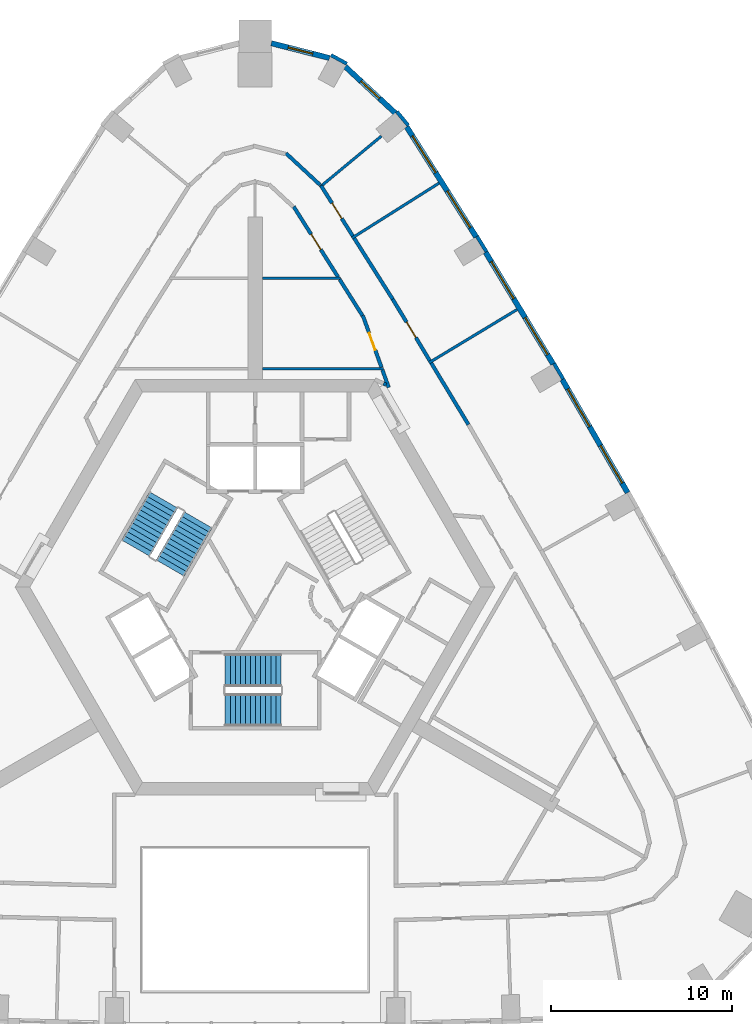
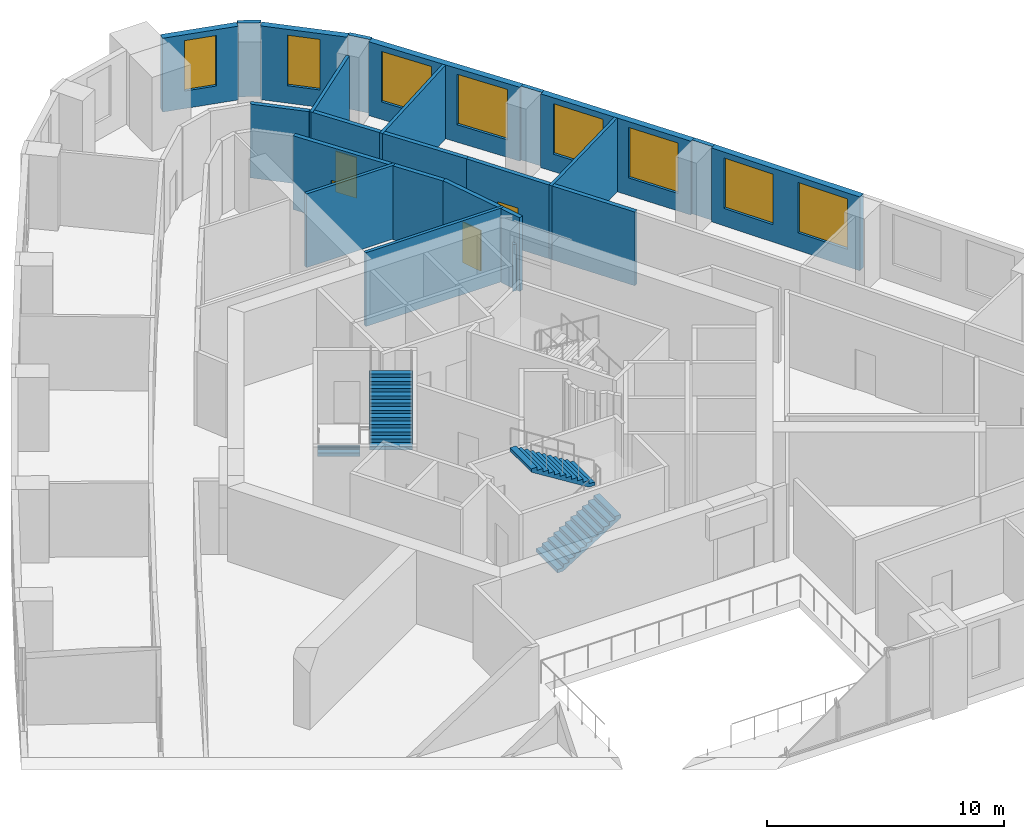
# One storey, part 9 of 11: 24 walls, 8 windows, 4 doors, 4 stair flights, 12 openings, 2 elements without a shape of their own.
"""IFC4 building model written with IfcOpenShell, lengths in metres."""

from ifc_helpers import new_model, si_unit, direction, frame, frame_2d, origin, place, context, subcontext, project, spatial, polyline, rectangle, outline, extrude, material, layer, layer_set, type_object, element, fill, aggregate, save


model = new_model("IFC4")

# Units and contexts
model_context = context("Model", 3, precision=1e-05, world=origin(), true_north=direction((0.0, 1.0)))
body_context = subcontext(model_context, "Body", "Model", "MODEL_VIEW")
ifc_project = project(units=[si_unit("LENGTHUNIT", "METRE"), si_unit("AREAUNIT", "SQUARE_METRE"), si_unit("VOLUMEUNIT", "CUBIC_METRE"), si_unit("PLANEANGLEUNIT", "RADIAN"), si_unit("MASSUNIT", "GRAM", prefix="KILO")], contexts=[model_context])

# Site, building, storey
site_placement = place(None, origin())
site = spatial("IfcSite", under=ifc_project, at=site_placement, CompositionType="ELEMENT")
building_placement = place(site_placement, origin())
building = spatial("IfcBuilding", under=site, at=building_placement, Name="Entoto Arch Interchange Tower", CompositionType="ELEMENT")
storey_placement = place(building_placement, frame((0.0, 0.0, 194.0)))
storey = spatial("IfcBuildingStorey", under=building, at=storey_placement, Name="L43", CompositionType="ELEMENT", Elevation=194.0)

# Walls
ifc_material_1 = material(Name="Gypsum board partition on steel studs", Category="steel")
ifc_layer_1 = layer(ifc_material_1, 0.14990234375)
ifc_layer_set_1 = layer_set([ifc_layer_1], Name="Gypsum board partition on steel studs")
wall_type_1 = type_object("IfcWallType", Name="PARTITION 150", PredefinedType="PARTITIONING", material=ifc_layer_set_1)
wall_1_placement = place(storey_placement, frame((7.1240234375, 14.60009765625, 0.0), z_axis=(0.0, 0.0, 1.0), x_axis=(-1.0, 0.0, 0.0)))
element("IfcWall", 1, at=wall_1_placement, inside=storey, type_object=wall_type_1, Name="wall:L43:p077", PredefinedType="PARTITIONING", context=body_context, shape_type="SweptSolid", body=[
    extrude(rectangle(XDim=6.72412109375, YDim=0.14990234375, at=frame_2d((3.362060546875, 0.0))), origin(), (0.0, 0.0, 1.0), 3.800048828125),
])
wall_2_placement = place(storey_placement, frame((0.39990234375, 19.60009765625, 0.0), z_axis=(0.0, 0.0, 1.0), x_axis=(1.0, 0.0, 0.0)))
element("IfcWall", 2, at=wall_2_placement, inside=storey, type_object=wall_type_1, Name="wall:L43:p100", PredefinedType="PARTITIONING", context=body_context, shape_type="SweptSolid", body=[
    extrude(rectangle(XDim=4.342041015625, YDim=0.14990234375, at=frame_2d((2.1708984375, 0.0))), origin(), (0.0, 0.0, 1.0), 3.800048828125),
])
wall_3_placement = place(storey_placement, frame((9.6279296875, 14.924072265625, 0.0), z_axis=(0.0, 0.0, 1.0), x_axis=(0.855931736607, 0.517088834021, 0.0)))
element("IfcWall", 3, at=wall_3_placement, inside=storey, type_object=wall_type_1, Name="wall:L43:p113", PredefinedType="PARTITIONING", context=body_context, shape_type="SweptSolid", body=[
    extrude(rectangle(XDim=5.69921875, YDim=0.14990234375, at=frame_2d((2.849609375, 0.0))), origin(), (0.0, 0.0, 1.0), 3.800048828125),
])
wall_4_placement = place(storey_placement, frame((5.364013671875, 21.826904296875, 0.0), z_axis=(0.0, 0.0, 1.0), x_axis=(0.845716787596, 0.533632003517, 0.0)))
element("IfcWall", 4, at=wall_4_placement, inside=storey, type_object=wall_type_1, Name="wall:L43:p114", PredefinedType="PARTITIONING", context=body_context, shape_type="SweptSolid", body=[
    extrude(rectangle(XDim=5.700439453125, YDim=0.14990234375, at=frame_2d((2.85009765625, 0.0))), origin(), (0.0, 0.0, 1.0), 3.800048828125),
])
wall_5_placement = place(storey_placement, frame((3.5859375, 24.64599609375, 0.0), z_axis=(0.0, 0.0, 1.0), x_axis=(0.769538645463, 0.638600245176, 0.0)))
element("IfcWall", 5, at=wall_5_placement, inside=storey, type_object=wall_type_1, Name="wall:L43:p115", PredefinedType="PARTITIONING", context=body_context, shape_type="SweptSolid", body=[
    extrude(rectangle(XDim=4.43017578125, YDim=0.14990234375, at=frame_2d((2.215087890625, 0.0))), origin(), (0.0, 0.0, 1.0), 3.800048828125),
])
ifc_layer_2 = layer(ifc_material_1, 0.199951171875)
ifc_layer_set_2 = layer_set([ifc_layer_2], Name="Gypsum board partition on steel studs")
wall_type_2 = type_object("IfcWallType", Name="PARTITION 200", PredefinedType="PARTITIONING", material=ifc_layer_set_2)
wall_6_placement = place(storey_placement, frame((7.40087890625, 13.552001953125, 0.0), z_axis=(0.0, 0.0, 1.0), x_axis=(-0.337944878606, 0.941165904091, 0.0)))
element("IfcWall", 6, at=wall_6_placement, inside=storey, type_object=wall_type_2, Name="wall:L43:p002", PredefinedType="PARTITIONING", context=body_context, shape_type="SweptSolid", body=[
    extrude(rectangle(XDim=1.0380859375, YDim=0.199951171875, at=frame_2d((0.51904296875, 0.0))), origin(), (0.0, 0.0, 1.0), 3.800048828125),
])

# Wall, opening, door
wall_7_placement = place(storey_placement, frame((6.9990234375, 14.6708984375, 0.0), z_axis=(0.0, 0.0, 1.0), x_axis=(-0.338795881304, 0.940859899672, 0.0)))
wall_7 = element("IfcWall", 7, at=wall_7_placement, inside=storey, type_object=wall_type_2, Name="wall:L43:p007", PredefinedType="PARTITIONING", context=body_context, shape_type="SweptSolid", body=[
    extrude(rectangle(XDim=3.0546875, YDim=0.199951171875, at=frame_2d((1.52734375, 0.0))), origin(), (0.0, 0.0, 1.0), 3.800048828125),
])
opening_1_placement = place(wall_7_placement, frame((1.027099609375, 0.0, 0.0)))
opening_1 = element("IfcOpeningElement", 8, at=opening_1_placement, cuts=wall_7, Name="Opening L43-D21", PredefinedType="OPENING", context=body_context, shape_type="SweptSolid", body=[
    extrude(rectangle(XDim=1.0, YDim=2.10009765625, at=frame_2d((0.5, 1.050048828125))), frame((0.0, 0.10986328125, 0.0), z_axis=(0.0, -1.0, 0.0), x_axis=(1.0, 0.0, 0.0)), (0.0, 0.0, 1.0), 0.219970703125),
])
ifc_material_2 = material(Name="Timber door leaf in Steel S235 frame", Category="steel")
door_type = type_object("IfcDoorType", Name="DOOR DS-10 1000x2100", OperationType="SINGLE_SWING_LEFT", PredefinedType="DOOR", material=ifc_material_2)
door_1_placement = place(opening_1_placement, origin())
door_1 = element("IfcDoor", 9, at=door_1_placement, inside=storey, type_object=door_type, Name="door:L43:21", OperationType="SINGLE_SWING_LEFT", OverallHeight=2.10009765625, OverallWidth=1.0, PredefinedType="DOOR", context=body_context, shape_type="SweptSolid", body=[
    extrude(rectangle(XDim=1.0, YDim=2.10009765625, at=frame_2d((0.5, 1.050048828125))), frame((0.0, 0.02490234375, 0.0), z_axis=(0.0, -1.0, 0.0), x_axis=(1.0, 0.0, 0.0)), (0.0, 0.0, 1.0), 0.050048828125),
])
fill(opening_1, door_1)

# Wall
wall_8_placement = place(storey_placement, frame((5.945068359375, 17.534912109375, 0.0), z_axis=(0.0, 0.0, 1.0), x_axis=(-0.533581643518, 0.845748561749, 0.0)))
element("IfcWall", 10, at=wall_8_placement, inside=storey, type_object=wall_type_2, Name="wall:L43:p008", PredefinedType="PARTITIONING", context=body_context, shape_type="SweptSolid", body=[
    extrude(rectangle(XDim=2.367431640625, YDim=0.199951171875, at=frame_2d((1.18359375, 0.0))), origin(), (0.0, 0.0, 1.0), 3.800048828125),
])

# Wall, opening, door
wall_9_placement = place(storey_placement, frame((4.60205078125, 19.6630859375, 0.0), z_axis=(0.0, 0.0, 1.0), x_axis=(-0.533664968846, 0.845695986171, 0.0)))
wall_9 = element("IfcWall", 11, at=wall_9_placement, inside=storey, type_object=wall_type_2, Name="wall:L43:p011", PredefinedType="PARTITIONING", context=body_context, shape_type="SweptSolid", body=[
    extrude(rectangle(XDim=4.62109375, YDim=0.199951171875, at=frame_2d((2.310546875, 0.0))), origin(), (0.0, 0.0, 1.0), 3.800048828125),
])
opening_2_placement = place(wall_9_placement, frame((1.81005859375, 0.0, 0.0)))
opening_2 = element("IfcOpeningElement", 12, at=opening_2_placement, cuts=wall_9, Name="Opening L43-D23", PredefinedType="OPENING", context=body_context, shape_type="SweptSolid", body=[
    extrude(rectangle(XDim=1.0, YDim=2.10009765625, at=frame_2d((0.5, 1.050048828125))), frame((0.0, 0.10986328125, 0.0), z_axis=(0.0, -1.0, 0.0), x_axis=(1.0, 0.0, 0.0)), (0.0, 0.0, 1.0), 0.219970703125),
])
door_2_placement = place(opening_2_placement, origin())
door_2 = element("IfcDoor", 13, at=door_2_placement, inside=storey, type_object=door_type, Name="door:L43:23", OperationType="SINGLE_SWING_LEFT", OverallHeight=2.10009765625, OverallWidth=1.0, PredefinedType="DOOR", context=body_context, shape_type="SweptSolid", body=[
    extrude(rectangle(XDim=1.0, YDim=2.10009765625, at=frame_2d((0.5, 1.050048828125))), frame((0.0, 0.02490234375, 0.0), z_axis=(0.0, -1.0, 0.0), x_axis=(1.0, 0.0, 0.0)), (0.0, 0.0, 1.0), 0.050048828125),
])
fill(opening_2, door_2)

# Walls
wall_10_placement = place(storey_placement, frame((9.751953125, 14.910888671875, 0.0), z_axis=(0.0, 0.0, 1.0), x_axis=(0.517135291957, -0.855903668535, 0.0)))
element("IfcWall", 14, at=wall_10_placement, inside=storey, type_object=wall_type_2, Name="wall:L43:p043", PredefinedType="PARTITIONING", context=body_context, shape_type="SweptSolid", body=[
    extrude(rectangle(XDim=3.981689453125, YDim=0.199951171875, at=frame_2d((1.99072265625, 0.0))), origin(), (0.0, 0.0, 1.0), 3.800048828125),
])
wall_11_placement = place(storey_placement, frame((5.489013671875, 21.81689453125, 0.0), z_axis=(0.0, 0.0, 1.0), x_axis=(0.533790022325, -0.845617059943, 0.0)))
element("IfcWall", 15, at=wall_11_placement, inside=storey, type_object=wall_type_2, Name="wall:L43:p045", PredefinedType="PARTITIONING", context=body_context, shape_type="SweptSolid", body=[
    extrude(rectangle(XDim=3.98291015625, YDim=0.199951171875, at=frame_2d((1.991455078125, 0.0))), origin(), (0.0, 0.0, 1.0), 3.800048828125),
])

# Wall, opening, door
wall_12_placement = place(storey_placement, frame((7.614990234375, 18.448974609375, 0.0), z_axis=(0.0, 0.0, 1.0), x_axis=(0.516918251554, -0.856034766356, 0.0)))
wall_12 = element("IfcWall", 16, at=wall_12_placement, inside=storey, type_object=wall_type_2, Name="wall:L43:p046", PredefinedType="PARTITIONING", context=body_context, shape_type="SweptSolid", body=[
    extrude(rectangle(XDim=3.9833984375, YDim=0.199951171875, at=frame_2d((1.99169921875, 0.0))), origin(), (0.0, 0.0, 1.0), 3.800048828125),
])
opening_3_placement = place(wall_12_placement, frame((1.491943359375, 0.0, 0.0)))
opening_3 = element("IfcOpeningElement", 17, at=opening_3_placement, cuts=wall_12, Name="Opening L43-D07", PredefinedType="OPENING", context=body_context, shape_type="SweptSolid", body=[
    extrude(rectangle(XDim=1.0, YDim=2.10009765625, at=frame_2d((0.5, 1.050048828125))), frame((0.0, 0.10986328125, 0.0), z_axis=(0.0, -1.0, 0.0), x_axis=(1.0, 0.0, 0.0)), (0.0, 0.0, 1.0), 0.219970703125),
])
door_3_placement = place(opening_3_placement, origin())
door_3 = element("IfcDoor", 18, at=door_3_placement, inside=storey, type_object=door_type, Name="door:L43:07", OperationType="SINGLE_SWING_LEFT", OverallHeight=2.10009765625, OverallWidth=1.0, PredefinedType="DOOR", context=body_context, shape_type="SweptSolid", body=[
    extrude(rectangle(XDim=1.0, YDim=2.10009765625, at=frame_2d((0.5, 1.050048828125))), frame((0.0, 0.02490234375, 0.0), z_axis=(0.0, -1.0, 0.0), x_axis=(1.0, 0.0, 0.0)), (0.0, 0.0, 1.0), 0.050048828125),
])
fill(opening_3, door_3)

wall_13_placement = place(storey_placement, frame((3.64990234375, 24.73095703125, 0.0), z_axis=(0.0, 0.0, 1.0), x_axis=(0.533756056831, -0.845638499476, 0.0)))
wall_13 = element("IfcWall", 19, at=wall_13_placement, inside=storey, type_object=wall_type_2, Name="wall:L43:p047", PredefinedType="PARTITIONING", context=body_context, shape_type="SweptSolid", body=[
    extrude(rectangle(XDim=3.295654296875, YDim=0.199951171875, at=frame_2d((1.64794921875, 0.0))), origin(), (0.0, 0.0, 1.0), 3.800048828125),
])
opening_4_placement = place(wall_13_placement, frame((1.14794921875, 0.0, 0.0)))
opening_4 = element("IfcOpeningElement", 20, at=opening_4_placement, cuts=wall_13, Name="Opening L43-D08", PredefinedType="OPENING", context=body_context, shape_type="SweptSolid", body=[
    extrude(rectangle(XDim=1.0, YDim=2.10009765625, at=frame_2d((0.5, 1.050048828125))), frame((0.0, 0.10986328125, 0.0), z_axis=(0.0, -1.0, 0.0), x_axis=(1.0, 0.0, 0.0)), (0.0, 0.0, 1.0), 0.219970703125),
])
door_4_placement = place(opening_4_placement, origin())
door_4 = element("IfcDoor", 21, at=door_4_placement, inside=storey, type_object=door_type, Name="door:L43:08", OperationType="SINGLE_SWING_LEFT", OverallHeight=2.10009765625, OverallWidth=1.0, PredefinedType="DOOR", context=body_context, shape_type="SweptSolid", body=[
    extrude(rectangle(XDim=1.0, YDim=2.10009765625, at=frame_2d((0.5, 1.050048828125))), frame((0.0, 0.02490234375, 0.0), z_axis=(0.0, -1.0, 0.0), x_axis=(1.0, 0.0, 0.0)), (0.0, 0.0, 1.0), 0.050048828125),
])
fill(opening_4, door_4)

# Walls
wall_14_placement = place(storey_placement, frame((1.70703125, 26.52587890625, 0.0), z_axis=(0.0, 0.0, 1.0), x_axis=(0.732939008525, -0.680294355248, 0.0)))
element("IfcWall", 22, at=wall_14_placement, inside=storey, type_object=wall_type_2, Name="wall:L43:p051", PredefinedType="PARTITIONING", context=body_context, shape_type="SweptSolid", body=[
    extrude(rectangle(XDim=2.569091796875, YDim=0.199951171875, at=frame_2d((1.28466796875, 0.0))), origin(), (0.0, 0.0, 1.0), 3.800048828125),
])
wall_15_placement = place(storey_placement, frame((7.110107421875, 13.77099609375, 0.0), z_axis=(0.0, 0.0, 1.0), x_axis=(0.900120852209, -0.435640277545, 0.0)))
element("IfcWall", 23, at=wall_15_placement, inside=storey, type_object=wall_type_2, Name="wall:L43:p001", PredefinedType="PARTITIONING", context=body_context, shape_type="SweptSolid", body=[
    extrude(rectangle(XDim=0.160888671875, YDim=0.199951171875, at=frame_2d((0.08056640625, 0.0))), origin(), (0.0, 0.0, 1.0), 2.39990234375),
])

# Wall, openings, windows
ifc_material_3 = material(Name="Welded tuff (ignimbrite) cladding, warm buff", Category="masonry")
ifc_layer_3 = layer(ifc_material_3, 0.300048828125)
ifc_layer_set_3 = layer_set([ifc_layer_3], Name="Welded tuff (ignimbrite) cladding, warm buff")
wall_type_3 = type_object("IfcWallType", Name="STONE INFILL WALL 300", PredefinedType="STANDARD", material=ifc_layer_set_3)
wall_16_placement = place(storey_placement, frame((20.6259765625, 7.73388671875, 0.0), z_axis=(0.0, 0.0, 1.0), x_axis=(-0.499948481376, 0.866055146033, 0.0)))
wall_16 = element("IfcWall", 24, at=wall_16_placement, inside=storey, type_object=wall_type_3, Name="Facade wall NE-03 L43", PredefinedType="STANDARD", context=body_context, shape_type="SweptSolid", body=[
    extrude(rectangle(XDim=7.230712890625, YDim=0.300048828125, at=frame_2d((3.615234375, 0.0))), origin(), (0.0, 0.0, 1.0), 3.800048828125),
])
opening_5_placement = place(wall_16_placement, frame((0.60791015625, 0.0, 0.89990234375)))
opening_5 = element("IfcOpeningElement", 25, at=opening_5_placement, cuts=wall_16, Name="Opening WO-A", PredefinedType="OPENING", context=body_context, shape_type="SweptSolid", body=[
    extrude(rectangle(XDim=2.39990234375, YDim=2.60009765625, at=frame_2d((1.199951171875, 1.300048828125))), frame((0.0, 0.16015625, 0.0), z_axis=(0.0, -1.0, 0.0), x_axis=(1.0, 0.0, 0.0)), (0.0, 0.0, 1.0), 0.320068359375),
])
opening_6_placement = place(wall_16_placement, frame((4.222900390625, 0.0, 0.89990234375)))
opening_6 = element("IfcOpeningElement", 26, at=opening_6_placement, cuts=wall_16, Name="Opening WO-A", PredefinedType="OPENING", context=body_context, shape_type="SweptSolid", body=[
    extrude(rectangle(XDim=2.39990234375, YDim=2.60009765625, at=frame_2d((1.199951171875, 1.300048828125))), frame((0.0, 0.16015625, 0.0), z_axis=(0.0, -1.0, 0.0), x_axis=(1.0, 0.0, 0.0)), (0.0, 0.0, 1.0), 0.320068359375),
])
ifc_material_4 = material(Name="Clear glass, low-e double glazed", Category="glass")
window_type_1 = type_object("IfcWindowType", Name="WINDOW WO-A 2400x2600", PartitioningType="DOUBLE_PANEL_VERTICAL", PredefinedType="WINDOW", material=ifc_material_4)
window_1_placement = place(opening_5_placement, origin())
window_1 = element("IfcWindow", 27, at=window_1_placement, inside=storey, type_object=window_type_1, Name="Window WO-A NE-03 L43", OverallHeight=2.60009765625, OverallWidth=2.39990234375, PartitioningType="SINGLE_PANEL", PredefinedType="WINDOW", context=body_context, shape_type="SweptSolid", body=[
    extrude(rectangle(XDim=2.39990234375, YDim=2.60009765625, at=frame_2d((1.199951171875, 1.300048828125))), frame((0.0, 0.030029296875, 0.0), z_axis=(0.0, -1.0, 0.0), x_axis=(1.0, 0.0, 0.0)), (0.0, 0.0, 1.0), 0.06005859375),
])
fill(opening_5, window_1)
window_2_placement = place(opening_6_placement, origin())
window_2 = element("IfcWindow", 28, at=window_2_placement, inside=storey, type_object=window_type_1, Name="Window WO-A NE-03 L43", OverallHeight=2.60009765625, OverallWidth=2.39990234375, PartitioningType="SINGLE_PANEL", PredefinedType="WINDOW", context=body_context, shape_type="SweptSolid", body=[
    extrude(rectangle(XDim=2.39990234375, YDim=2.60009765625, at=frame_2d((1.199951171875, 1.300048828125))), frame((0.0, 0.030029296875, 0.0), z_axis=(0.0, -1.0, 0.0), x_axis=(1.0, 0.0, 0.0)), (0.0, 0.0, 1.0), 0.06005859375),
])
fill(opening_6, window_2)

wall_17_placement = place(storey_placement, frame((16.50390625, 14.85498046875, 0.0), z_axis=(0.0, 0.0, 1.0), x_axis=(-0.517159962006, 0.855888762456, 0.0)))
wall_17 = element("IfcWall", 29, at=wall_17_placement, inside=storey, type_object=wall_type_3, Name="Facade wall NE-04 L43", PredefinedType="STANDARD", context=body_context, shape_type="SweptSolid", body=[
    extrude(rectangle(XDim=7.22998046875, YDim=0.300048828125, at=frame_2d((3.614990234375, 0.0))), origin(), (0.0, 0.0, 1.0), 3.800048828125),
])
opening_7_placement = place(wall_17_placement, frame((0.60693359375, 0.0, 0.89990234375)))
opening_7 = element("IfcOpeningElement", 30, at=opening_7_placement, cuts=wall_17, Name="Opening WO-A", PredefinedType="OPENING", context=body_context, shape_type="SweptSolid", body=[
    extrude(rectangle(XDim=2.39990234375, YDim=2.60009765625, at=frame_2d((1.199951171875, 1.300048828125))), frame((0.0, 0.16015625, 0.0), z_axis=(0.0, -1.0, 0.0), x_axis=(1.0, 0.0, 0.0)), (0.0, 0.0, 1.0), 0.320068359375),
])
opening_8_placement = place(wall_17_placement, frame((4.221923828125, 0.0, 0.89990234375)))
opening_8 = element("IfcOpeningElement", 31, at=opening_8_placement, cuts=wall_17, Name="Opening WO-A", PredefinedType="OPENING", context=body_context, shape_type="SweptSolid", body=[
    extrude(rectangle(XDim=2.39990234375, YDim=2.60009765625, at=frame_2d((1.199951171875, 1.300048828125))), frame((0.0, 0.16015625, 0.0), z_axis=(0.0, -1.0, 0.0), x_axis=(1.0, 0.0, 0.0)), (0.0, 0.0, 1.0), 0.320068359375),
])
window_3_placement = place(opening_7_placement, origin())
window_3 = element("IfcWindow", 32, at=window_3_placement, inside=storey, type_object=window_type_1, Name="Window WO-A NE-04 L43", OverallHeight=2.60009765625, OverallWidth=2.39990234375, PartitioningType="SINGLE_PANEL", PredefinedType="WINDOW", context=body_context, shape_type="SweptSolid", body=[
    extrude(rectangle(XDim=2.39990234375, YDim=2.60009765625, at=frame_2d((1.199951171875, 1.300048828125))), frame((0.0, 0.030029296875, 0.0), z_axis=(0.0, -1.0, 0.0), x_axis=(1.0, 0.0, 0.0)), (0.0, 0.0, 1.0), 0.06005859375),
])
fill(opening_7, window_3)
window_4_placement = place(opening_8_placement, origin())
window_4 = element("IfcWindow", 33, at=window_4_placement, inside=storey, type_object=window_type_1, Name="Window WO-A NE-04 L43", OverallHeight=2.60009765625, OverallWidth=2.39990234375, PartitioningType="SINGLE_PANEL", PredefinedType="WINDOW", context=body_context, shape_type="SweptSolid", body=[
    extrude(rectangle(XDim=2.39990234375, YDim=2.60009765625, at=frame_2d((1.199951171875, 1.300048828125))), frame((0.0, 0.030029296875, 0.0), z_axis=(0.0, -1.0, 0.0), x_axis=(1.0, 0.0, 0.0)), (0.0, 0.0, 1.0), 0.06005859375),
])
fill(opening_8, window_4)

wall_18_placement = place(storey_placement, frame((12.240966796875, 21.89208984375, 0.0), z_axis=(0.0, 0.0, 1.0), x_axis=(-0.533680752529, 0.845686025887, 0.0)))
wall_18 = element("IfcWall", 34, at=wall_18_placement, inside=storey, type_object=wall_type_3, Name="Facade wall NE-05 L43", PredefinedType="STANDARD", context=body_context, shape_type="SweptSolid", body=[
    extrude(rectangle(XDim=7.208251953125, YDim=0.300048828125, at=frame_2d((3.60400390625, 0.0))), origin(), (0.0, 0.0, 1.0), 3.800048828125),
])
opening_9_placement = place(wall_18_placement, frame((0.60205078125, 0.0, 0.89990234375)))
opening_9 = element("IfcOpeningElement", 35, at=opening_9_placement, cuts=wall_18, Name="Opening WO-A", PredefinedType="OPENING", context=body_context, shape_type="SweptSolid", body=[
    extrude(rectangle(XDim=2.39990234375, YDim=2.60009765625, at=frame_2d((1.199951171875, 1.300048828125))), frame((0.0, 0.16015625, 0.0), z_axis=(0.0, -1.0, 0.0), x_axis=(1.0, 0.0, 0.0)), (0.0, 0.0, 1.0), 0.320068359375),
])
opening_10_placement = place(wall_18_placement, frame((4.2060546875, 0.0, 0.89990234375)))
opening_10 = element("IfcOpeningElement", 36, at=opening_10_placement, cuts=wall_18, Name="Opening WO-A", PredefinedType="OPENING", context=body_context, shape_type="SweptSolid", body=[
    extrude(rectangle(XDim=2.39990234375, YDim=2.60009765625, at=frame_2d((1.199951171875, 1.300048828125))), frame((0.0, 0.16015625, 0.0), z_axis=(0.0, -1.0, 0.0), x_axis=(1.0, 0.0, 0.0)), (0.0, 0.0, 1.0), 0.320068359375),
])
window_5_placement = place(opening_9_placement, origin())
window_5 = element("IfcWindow", 37, at=window_5_placement, inside=storey, type_object=window_type_1, Name="Window WO-A NE-05 L43", OverallHeight=2.60009765625, OverallWidth=2.39990234375, PartitioningType="SINGLE_PANEL", PredefinedType="WINDOW", context=body_context, shape_type="SweptSolid", body=[
    extrude(rectangle(XDim=2.39990234375, YDim=2.60009765625, at=frame_2d((1.199951171875, 1.300048828125))), frame((0.0, 0.030029296875, 0.0), z_axis=(0.0, -1.0, 0.0), x_axis=(1.0, 0.0, 0.0)), (0.0, 0.0, 1.0), 0.06005859375),
])
fill(opening_9, window_5)
window_6_placement = place(opening_10_placement, origin())
window_6 = element("IfcWindow", 38, at=window_6_placement, inside=storey, type_object=window_type_1, Name="Window WO-A NE-05 L43", OverallHeight=2.60009765625, OverallWidth=2.39990234375, PartitioningType="SINGLE_PANEL", PredefinedType="WINDOW", context=body_context, shape_type="SweptSolid", body=[
    extrude(rectangle(XDim=2.39990234375, YDim=2.60009765625, at=frame_2d((1.199951171875, 1.300048828125))), frame((0.0, 0.030029296875, 0.0), z_axis=(0.0, -1.0, 0.0), x_axis=(1.0, 0.0, 0.0)), (0.0, 0.0, 1.0), 0.06005859375),
])
fill(opening_10, window_6)

# Wall, opening, window
wall_19_placement = place(storey_placement, frame((7.757080078125, 28.756103515625, 0.0), z_axis=(0.0, 0.0, 1.0), x_axis=(-0.732897351132, 0.680339233547, 0.0)))
wall_19 = element("IfcWall", 39, at=wall_19_placement, inside=storey, type_object=wall_type_3, Name="Facade wall N-01 L43", PredefinedType="STANDARD", context=body_context, shape_type="SweptSolid", body=[
    extrude(rectangle(XDim=3.767333984375, YDim=0.300048828125, at=frame_2d((1.8837890625, 0.0))), origin(), (0.0, 0.0, 1.0), 3.800048828125),
])
opening_11_placement = place(wall_19_placement, frame((1.18408203125, 0.0, 0.89990234375)))
opening_11 = element("IfcOpeningElement", 40, at=opening_11_placement, cuts=wall_19, Name="Opening WO-B", PredefinedType="OPENING", context=body_context, shape_type="SweptSolid", body=[
    extrude(rectangle(XDim=1.39990234375, YDim=2.60009765625, at=frame_2d((0.699951171875, 1.300048828125))), frame((0.0, 0.16015625, 0.0), z_axis=(0.0, -1.0, 0.0), x_axis=(1.0, 0.0, 0.0)), (0.0, 0.0, 1.0), 0.320068359375),
])
window_type_2 = type_object("IfcWindowType", Name="WINDOW WO-B 1400x2600", PartitioningType="DOUBLE_PANEL_VERTICAL", PredefinedType="WINDOW", material=ifc_material_4)
window_7_placement = place(opening_11_placement, origin())
window_7 = element("IfcWindow", 41, at=window_7_placement, inside=storey, type_object=window_type_2, Name="Window WO-B N-01 L43", OverallHeight=2.60009765625, OverallWidth=1.39990234375, PartitioningType="SINGLE_PANEL", PredefinedType="WINDOW", context=body_context, shape_type="SweptSolid", body=[
    extrude(rectangle(XDim=1.39990234375, YDim=2.60009765625, at=frame_2d((0.699951171875, 1.300048828125))), frame((0.0, 0.030029296875, 0.0), z_axis=(0.0, -1.0, 0.0), x_axis=(1.0, 0.0, 0.0)), (0.0, 0.0, 1.0), 0.06005859375),
])
fill(opening_11, window_7)

wall_20_placement = place(storey_placement, frame((4.1201171875, 31.7958984375, 0.0), z_axis=(0.0, 0.0, 1.0), x_axis=(-0.969087915137, 0.24671565158, 0.0)))
wall_20 = element("IfcWall", 42, at=wall_20_placement, inside=storey, type_object=wall_type_3, Name="Facade wall N-02 L43", PredefinedType="STANDARD", context=body_context, shape_type="SweptSolid", body=[
    extrude(rectangle(XDim=3.323974609375, YDim=0.300048828125, at=frame_2d((1.662109375, 0.0))), origin(), (0.0, 0.0, 1.0), 3.800048828125),
])
opening_12_placement = place(wall_20_placement, frame((0.9619140625, 0.0, 0.89990234375)))
opening_12 = element("IfcOpeningElement", 43, at=opening_12_placement, cuts=wall_20, Name="Opening WO-B", PredefinedType="OPENING", context=body_context, shape_type="SweptSolid", body=[
    extrude(rectangle(XDim=1.39990234375, YDim=2.60009765625, at=frame_2d((0.699951171875, 1.300048828125))), frame((0.0, 0.16015625, 0.0), z_axis=(0.0, -1.0, 0.0), x_axis=(1.0, 0.0, 0.0)), (0.0, 0.0, 1.0), 0.320068359375),
])
window_8_placement = place(opening_12_placement, origin())
window_8 = element("IfcWindow", 44, at=window_8_placement, inside=storey, type_object=window_type_2, Name="Window WO-B N-02 L43", OverallHeight=2.60009765625, OverallWidth=1.39990234375, PartitioningType="SINGLE_PANEL", PredefinedType="WINDOW", context=body_context, shape_type="SweptSolid", body=[
    extrude(rectangle(XDim=1.39990234375, YDim=2.60009765625, at=frame_2d((0.699951171875, 1.300048828125))), frame((0.0, 0.030029296875, 0.0), z_axis=(0.0, -1.0, 0.0), x_axis=(1.0, 0.0, 0.0)), (0.0, 0.0, 1.0), 0.06005859375),
])
fill(opening_12, window_8)

# Walls
ifc_layer_4 = layer(ifc_material_3, 0.199951171875)
ifc_layer_set_4 = layer_set([ifc_layer_4], Name="Welded tuff (ignimbrite) cladding, warm buff")
wall_type_4 = type_object("IfcWallType", Name="STONE PIER CLADDING 200", PredefinedType="STANDARD", material=ifc_layer_set_4)
for number, where, z_axis, x_axis, name in (
    (45, (5.083984375, 31.47802734375, 0.0), (0.0, 0.0, 1.0), (-0.878250009632, 0.478201757191, 0.0), "Stone pier N1 L43"),
    (46, (17.05908203125, 14.02294921875, 0.0), (0.0, 0.0, 1.0), (-0.508161541526, 0.861261776531, 0.0), "Stone pier NE04 L43"),
):
    element("IfcWall", number, at=place(storey_placement, frame(where, z_axis=z_axis, x_axis=x_axis)), inside=storey, type_object=wall_type_4, Name=name, PredefinedType="STANDARD", context=body_context, shape_type="SweptSolid", body=[
        extrude(rectangle(XDim=0.999755859375, YDim=0.199951171875, at=frame_2d((0.5, 0.0))), origin(), (0.0, 0.0, 1.0), 3.800048828125),
    ])
wall_21_placement = place(storey_placement, frame((12.81298828125, 21.071044921875, 0.0), z_axis=(0.0, 0.0, 1.0), x_axis=(-0.525648735675, 0.850701714282, 0.0)))
element("IfcWall", 47, at=wall_21_placement, inside=storey, type_object=wall_type_4, Name="Stone pier NE05 L43", PredefinedType="STANDARD", context=body_context, shape_type="SweptSolid", body=[
    extrude(rectangle(XDim=1.00048828125, YDim=0.199951171875, at=frame_2d((0.500244140625, 0.0))), origin(), (0.0, 0.0, 1.0), 3.800048828125),
])
wall_22_placement = place(storey_placement, frame((8.48388671875, 28.06103515625, 0.0), z_axis=(0.0, 0.0, 1.0), x_axis=(-0.637972365578, 0.770059257953, 0.0)))
element("IfcWall", 48, at=wall_22_placement, inside=storey, type_object=wall_type_4, Name="Stone pier NE06 L43", PredefinedType="STANDARD", context=body_context, shape_type="SweptSolid", body=[
    extrude(rectangle(XDim=1.0, YDim=0.199951171875, at=frame_2d((0.5, 0.0))), origin(), (0.0, 0.0, 1.0), 3.800048828125),
])

# Stair, stair flights
ifc_material_5 = material(Name="Concrete C40/50", Category="concrete")
stair_type = type_object("IfcStairType", Name="EXIT STAIR RC 1800", PredefinedType="HALF_TURN_STAIR", material=ifc_material_5)
stair_1_placement = place(storey_placement, origin())
stair_1 = element("IfcStair", 49, at=stair_1_placement, inside=storey, type_object=stair_type, Name="L43 Exit stair S", PredefinedType="HALF_TURN_STAIR")
stair_flight_type = type_object("IfcStairFlightType", Name="EXIT STAIR FLIGHT RC 1800", PredefinedType="STRAIGHT", material=ifc_material_5)
stair_flight_1_placement = place(storey_placement, frame((-1.64990234375, -4.300048828125, 0.0), z_axis=(0.0, 0.0, 1.0), x_axis=(1.0, 0.0, 0.0)))
stair_flight_1 = element("IfcStairFlight", 50, at=stair_flight_1_placement, type_object=stair_flight_type, Name="ST-S flight 1", NumberOfRisers=12, NumberOfTreads=11, PredefinedType="STRAIGHT", RiserHeight=0.175, TreadLength=0.28, context=body_context, shape_type="SweptSolid", body=[
    extrude(outline(polyline([(-0.0029296875, 0.0), (-0.0029296875, 0.175048828125), (0.280029296875, 0.175048828125), (0.280029296875, 0.35009765625), (0.56005859375, 0.35009765625), (0.56005859375, 0.52490234375), (0.840087890625, 0.52490234375), (0.840087890625, 0.699951171875), (1.1201171875, 0.699951171875), (1.1201171875, 0.875), (1.39990234375, 0.875), (1.39990234375, 1.050048828125), (1.679931640625, 1.050048828125), (1.679931640625, 1.22509765625), (1.9599609375, 1.22509765625), (1.9599609375, 1.39990234375), (2.239990234375, 1.39990234375), (2.239990234375, 1.574951171875), (2.52001953125, 1.574951171875), (2.52001953125, 1.75), (2.800048828125, 1.75), (2.800048828125, 1.925048828125), (3.080078125, 1.925048828125), (3.0830078125, 1.925048828125), (3.0830078125, 1.75), (0.28271484375, 0.0), (-0.0029296875, 0.0)])), frame((0.0, 0.89990234375, 0.0), z_axis=(0.0, -1.0, 0.0), x_axis=(1.0, 0.0, 0.0)), (0.0, 0.0, 1.0), 1.800048828125),
])
stair_flight_2_placement = place(storey_placement, frame((1.429931640625, -2.10009765625, 2.10009765625), z_axis=(0.0, 0.0, 1.0), x_axis=(-1.0, 0.0, 0.0)))
stair_flight_2 = element("IfcStairFlight", 51, at=stair_flight_2_placement, type_object=stair_flight_type, Name="ST-S flight 2", NumberOfRisers=12, NumberOfTreads=11, PredefinedType="STRAIGHT", RiserHeight=0.175, TreadLength=0.28, context=body_context, shape_type="SweptSolid", body=[
    extrude(outline(polyline([(-0.0029296875, 0.0), (-0.0029296875, 0.175048828125), (0.280029296875, 0.175048828125), (0.280029296875, 0.35009765625), (0.56005859375, 0.35009765625), (0.56005859375, 0.52490234375), (0.840087890625, 0.52490234375), (0.840087890625, 0.699951171875), (1.1201171875, 0.699951171875), (1.1201171875, 0.875), (1.39990234375, 0.875), (1.39990234375, 1.050048828125), (1.679931640625, 1.050048828125), (1.679931640625, 1.22509765625), (1.9599609375, 1.22509765625), (1.9599609375, 1.39990234375), (2.239990234375, 1.39990234375), (2.239990234375, 1.574951171875), (2.52001953125, 1.574951171875), (2.52001953125, 1.75), (2.800048828125, 1.75), (2.800048828125, 1.925048828125), (3.080078125, 1.925048828125), (3.0830078125, 1.925048828125), (3.0830078125, 1.75), (0.28271484375, 0.0), (-0.0029296875, 0.0)])), frame((0.0, 0.89990234375, 0.0), z_axis=(0.0, -1.0, 0.0), x_axis=(1.0, 0.0, 0.0)), (0.0, 0.0, 1.0), 1.800048828125),
])
aggregate(stair_1, [stair_flight_1, stair_flight_2])

stair_2_placement = place(storey_placement, origin())
stair_2 = element("IfcStair", 52, at=stair_2_placement, inside=storey, type_object=stair_type, Name="L43 Exit stair NW", PredefinedType="HALF_TURN_STAIR")
stair_flight_3_placement = place(storey_placement, frame((-5.06396484375, 7.328857421875, 0.0), z_axis=(0.0, 0.0, 1.0), x_axis=(-0.5, -0.866025403784, 0.0)))
stair_flight_3 = element("IfcStairFlight", 53, at=stair_flight_3_placement, type_object=stair_flight_type, Name="ST-NW flight 1", NumberOfRisers=12, NumberOfTreads=11, PredefinedType="STRAIGHT", RiserHeight=0.175, TreadLength=0.28, context=body_context, shape_type="SweptSolid", body=[
    extrude(outline(polyline([(-0.0029296875, 0.0), (-0.0029296875, 0.175048828125), (0.280029296875, 0.175048828125), (0.280029296875, 0.35009765625), (0.56005859375, 0.35009765625), (0.56005859375, 0.52490234375), (0.840087890625, 0.52490234375), (0.840087890625, 0.699951171875), (1.1201171875, 0.699951171875), (1.1201171875, 0.875), (1.39990234375, 0.875), (1.39990234375, 1.050048828125), (1.679931640625, 1.050048828125), (1.679931640625, 1.22509765625), (1.9599609375, 1.22509765625), (1.9599609375, 1.39990234375), (2.239990234375, 1.39990234375), (2.239990234375, 1.574951171875), (2.52001953125, 1.574951171875), (2.52001953125, 1.75), (2.800048828125, 1.75), (2.800048828125, 1.925048828125), (3.080078125, 1.925048828125), (3.0830078125, 1.925048828125), (3.0830078125, 1.75), (0.28271484375, 0.0), (-0.0029296875, 0.0)])), frame((0.0, 0.89990234375, 0.0), z_axis=(0.0, -1.0, 0.0), x_axis=(1.0, 0.0, 0.0)), (0.0, 0.0, 1.0), 1.800048828125),
])
stair_flight_4_placement = place(storey_placement, frame((-4.69873046875, 3.5615234375, 2.10009765625), z_axis=(0.0, 0.0, 1.0), x_axis=(0.5, 0.866025403784, 0.0)))
stair_flight_4 = element("IfcStairFlight", 54, at=stair_flight_4_placement, type_object=stair_flight_type, Name="ST-NW flight 2", NumberOfRisers=12, NumberOfTreads=11, PredefinedType="STRAIGHT", RiserHeight=0.175, TreadLength=0.28, context=body_context, shape_type="SweptSolid", body=[
    extrude(outline(polyline([(-0.0029296875, 0.0), (-0.0029296875, 0.175048828125), (0.280029296875, 0.175048828125), (0.280029296875, 0.35009765625), (0.56005859375, 0.35009765625), (0.56005859375, 0.52490234375), (0.840087890625, 0.52490234375), (0.840087890625, 0.699951171875), (1.1201171875, 0.699951171875), (1.1201171875, 0.875), (1.39990234375, 0.875), (1.39990234375, 1.050048828125), (1.679931640625, 1.050048828125), (1.679931640625, 1.22509765625), (1.9599609375, 1.22509765625), (1.9599609375, 1.39990234375), (2.239990234375, 1.39990234375), (2.239990234375, 1.574951171875), (2.52001953125, 1.574951171875), (2.52001953125, 1.75), (2.800048828125, 1.75), (2.800048828125, 1.925048828125), (3.080078125, 1.925048828125), (3.0830078125, 1.925048828125), (3.0830078125, 1.75), (0.28271484375, 0.0), (-0.0029296875, 0.0)])), frame((0.0, 0.89990234375, 0.0), z_axis=(0.0, -1.0, 0.0), x_axis=(1.0, 0.0, 0.0)), (0.0, 0.0, 1.0), 1.800048828125),
])
aggregate(stair_2, [stair_flight_3, stair_flight_4])

save(model, "model.ifc")
